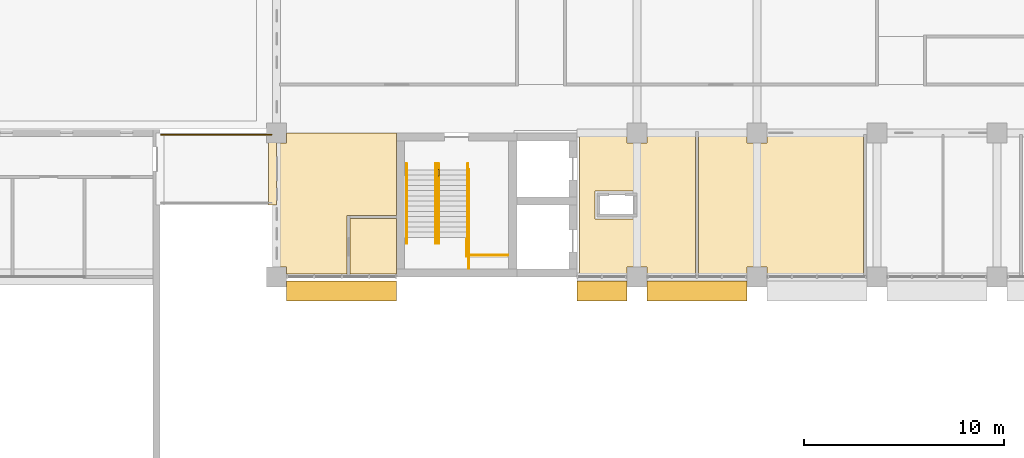
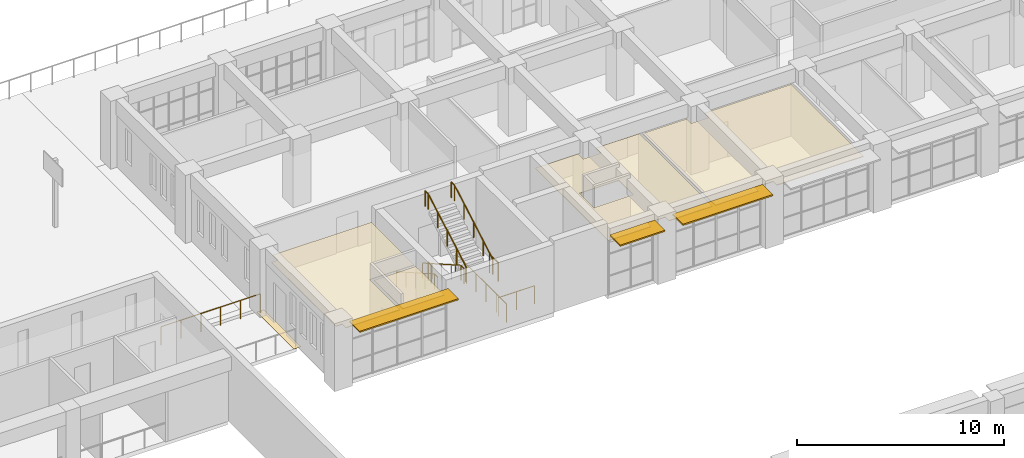
# One storey, part 92 of 101: 9 railings, 5 coverings, 3 shading devices.
"""IFC4 building model written with IfcOpenShell, lengths in metres."""

from ifc_helpers import new_model, si_unit, direction, frame, origin, origin_2d, place, context, subcontext, project, spatial, polyline, rectangle, circle, outline, extrude, material, layer, layer_set, type_object, element, save


model = new_model("IFC4")

# Units and contexts
model_context = context("Model", 3, precision=1e-05, world=origin(), true_north=direction((0.0, 1.0)))
body_context = subcontext(model_context, "Body", "Model", "MODEL_VIEW")
ifc_project = project(units=[si_unit("LENGTHUNIT", "METRE"), si_unit("AREAUNIT", "SQUARE_METRE"), si_unit("VOLUMEUNIT", "CUBIC_METRE"), si_unit("PLANEANGLEUNIT", "RADIAN"), si_unit("MASSUNIT", "GRAM", prefix="KILO")], contexts=[model_context])

# Site, building, storey
site_placement = place(None, origin())
site = spatial("IfcSite", under=ifc_project, at=site_placement, CompositionType="ELEMENT")
building_placement = place(site_placement, origin())
building = spatial("IfcBuilding", under=site, at=building_placement, Name="Laocheng Heights Fire and Rescue Headquarters", CompositionType="ELEMENT")
storey_placement = place(building_placement, frame((0.0, 0.0, 8.39990234375)))
storey = spatial("IfcBuildingStorey", under=building, at=storey_placement, Name="L02", CompositionType="ELEMENT", Elevation=8.39990234375)

# Covering
ifc_material_1 = material(Name="Stainless steel cover plate", Category="steel")
ifc_layer_1 = layer(ifc_material_1, 0.010009765625)
ifc_layer_set_1 = layer_set([ifc_layer_1], Name="Stainless steel cover plate")
covering_type_1 = type_object("IfcCoveringType", Name="MOVEMENT JOINT COVER PLATE 10", PredefinedType="FLOORING", material=ifc_layer_set_1)
covering_1_placement = place(storey_placement, frame((35.800048828125, 55.800048828125, -0.009765625), z_axis=(0.0, 0.0, 1.0), x_axis=(1.0, 0.0, 0.0)))
element("IfcCovering", 1, at=covering_1_placement, inside=storey, type_object=covering_type_1, Name="Bridge B2 movement joint cover plate", PredefinedType="FLOORING", context=body_context, shape_type="SweptSolid", body=[
    extrude(rectangle(XDim=0.39990234375, YDim=3.60009765625, at=origin_2d()), origin(), (0.0, 0.0, 1.0), 0.010009765625),
])

# Shading devices
ifc_material_2 = material(Name="Precast concrete C40/50, light warm grey", Category="concrete")
ifc_layer_2 = layer(ifc_material_2, 0.080078125)
ifc_layer_set_2 = layer_set([ifc_layer_2], Name="Precast concrete C40/50, light warm grey")
shading_device_type = type_object("IfcShadingDeviceType", Name="PRECAST BLADE 1000 x 80 BLADE HQ SOUTH", PredefinedType="JALOUSIE", material=ifc_layer_set_2)
shading_device_1_placement = place(storey_placement, frame((39.25, 49.699951171875, 3.56005859375), z_axis=(0.0, 0.0, 1.0), x_axis=(1.0, 0.0, 0.0)))
element("IfcShadingDevice", 2, at=shading_device_1_placement, inside=storey, type_object=shading_device_type, Name="BLADE HQ SOUTH L02", PredefinedType="JALOUSIE", context=body_context, shape_type="SweptSolid", body=[
    extrude(rectangle(XDim=5.5, YDim=1.0, at=origin_2d()), origin(), (0.0, 0.0, 1.0), 0.080078125),
])
shading_device_2_placement = place(storey_placement, frame((52.25, 49.699951171875, 3.56005859375), z_axis=(0.0, 0.0, 1.0), x_axis=(1.0, 0.0, 0.0)))
element("IfcShadingDevice", 3, at=shading_device_2_placement, inside=storey, type_object=shading_device_type, Name="BLADE HQ SOUTH L02", PredefinedType="JALOUSIE", context=body_context, shape_type="SweptSolid", body=[
    extrude(rectangle(XDim=2.5, YDim=1.0, at=origin_2d()), origin(), (0.0, 0.0, 1.0), 0.080078125),
])
shading_device_3_placement = place(storey_placement, frame((57.0, 49.699951171875, 3.56005859375), z_axis=(0.0, 0.0, 1.0), x_axis=(1.0, 0.0, 0.0)))
element("IfcShadingDevice", 4, at=shading_device_3_placement, inside=storey, type_object=shading_device_type, Name="BLADE HQ SOUTH L02", PredefinedType="JALOUSIE", context=body_context, shape_type="SweptSolid", body=[
    extrude(rectangle(XDim=5.0, YDim=1.0, at=origin_2d()), origin(), (0.0, 0.0, 1.0), 0.080078125),
])

# Railings
ifc_material_3 = material(Name="Steel Q355B", Category="steel")
railing_type_1 = type_object("IfcRailingType", Name="STAIR GUARD 1100", PredefinedType="GUARDRAIL", material=ifc_material_3)
railing_1_placement = place(storey_placement, frame((44.094970703125, 55.449951171875, 0.0)))
element("IfcRailing", 5, at=railing_1_placement, inside=storey, type_object=railing_type_1, Name="Stair H1 guard L02 well edge", PredefinedType="GUARDRAIL", context=body_context, shape_type="SweptSolid", body=[
    extrude(circle(Radius=0.02392578125, at=origin_2d()), frame((0.0, 0.0, 1.076171875), z_axis=(0.0, 1.0, 0.0), x_axis=(-1.0, 0.0, 0.0)), (0.0, 0.0, 1.0), 0.300048828125),
    extrude(circle(Radius=0.02099609375, at=origin_2d()), origin(), (0.0, 0.0, 1.0), 1.052001953125),
    extrude(circle(Radius=0.02099609375, at=origin_2d()), frame((0.0, 0.300048828125, 0.0)), (0.0, 0.0, 1.0), 1.052001953125),
])
railing_2_placement = place(storey_placement, frame((45.52490234375, 51.47998046875, 0.0)))
element("IfcRailing", 6, at=railing_2_placement, inside=storey, type_object=railing_type_1, Name="Stair H1 guard L02 tongue edge", PredefinedType="GUARDRAIL", context=body_context, shape_type="SweptSolid", body=[
    extrude(circle(Radius=0.02392578125, at=origin_2d()), frame((0.0, 0.0, 1.076171875), z_axis=(1.0, 0.0, 0.0), x_axis=(0.0, 1.0, 0.0)), (0.0, 0.0, 1.0), 2.025146484375),
    extrude(circle(Radius=0.02099609375, at=origin_2d()), origin(), (0.0, 0.0, 1.0), 1.052001953125),
    extrude(circle(Radius=0.02099609375, at=origin_2d()), frame((1.0126953125, 0.0, 0.0)), (0.0, 0.0, 1.0), 1.052001953125),
    extrude(circle(Radius=0.02099609375, at=origin_2d()), frame((2.025146484375, 0.0, 0.0)), (0.0, 0.0, 1.0), 1.052001953125),
])
railing_3_placement = place(storey_placement, frame((45.60498046875, 50.820068359375, 0.0)))
element("IfcRailing", 7, at=railing_3_placement, inside=storey, type_object=railing_type_1, Name="Stair H1 guard L02 strip edge", PredefinedType="GUARDRAIL", context=body_context, shape_type="SweptSolid", body=[
    extrude(circle(Radius=0.02392578125, at=origin_2d()), frame((0.0, 0.0, 1.076171875), z_axis=(0.0, 1.0, 0.0), x_axis=(-1.0, 0.0, 0.0)), (0.0, 0.0, 1.0), 4.929931640625),
    extrude(circle(Radius=0.02099609375, at=origin_2d()), origin(), (0.0, 0.0, 1.0), 1.052001953125),
    extrude(circle(Radius=0.02099609375, at=origin_2d()), frame((0.0, 0.986083984375, 0.0)), (0.0, 0.0, 1.0), 1.052001953125),
    extrude(circle(Radius=0.02099609375, at=origin_2d()), frame((0.0, 1.971923828125, 0.0)), (0.0, 0.0, 1.0), 1.052001953125),
    extrude(circle(Radius=0.02099609375, at=origin_2d()), frame((0.0, 2.9580078125, 0.0)), (0.0, 0.0, 1.0), 1.052001953125),
    extrude(circle(Radius=0.02099609375, at=origin_2d()), frame((0.0, 3.94384765625, 0.0)), (0.0, 0.0, 1.0), 1.052001953125),
    extrude(circle(Radius=0.02099609375, at=origin_2d()), frame((0.0, 4.929931640625, 0.0)), (0.0, 0.0, 1.0), 1.052001953125),
])
railing_4_placement = place(storey_placement, frame((45.4951171875, 51.419921875, 2.10009765625)))
element("IfcRailing", 8, at=railing_4_placement, inside=storey, type_object=railing_type_1, Name="Stair H1 guard L02 half landing", PredefinedType="GUARDRAIL", context=body_context, shape_type="SweptSolid", body=[
    extrude(circle(Radius=0.02392578125, at=origin_2d()), frame((0.0, 0.0, 1.076171875), z_axis=(0.0, 1.0, 0.0), x_axis=(-1.0, 0.0, 0.0)), (0.0, 0.0, 1.0), 0.85009765625),
    extrude(circle(Radius=0.02099609375, at=origin_2d()), origin(), (0.0, 0.0, 1.0), 1.052001953125),
    extrude(circle(Radius=0.02099609375, at=origin_2d()), frame((0.0, 0.85009765625, 0.0)), (0.0, 0.0, 1.0), 1.052001953125),
])
ifc_material_4 = material(Name="Steel Q355B", Category="steel")
railing_type_2 = type_object("IfcRailingType", Name="STAIR HANDRAIL 920", PredefinedType="HANDRAIL", material=ifc_material_4)
for number, where, name in (
    (9, (42.4951171875, 56.050048828125, 0.0), "Stair H1 handrail L02 1"),
    (10, (43.955078125, 56.050048828125, 0.0), "Stair H1 handrail L02 2"),
):
    element("IfcRailing", number, at=place(storey_placement, frame(where)), inside=storey, type_object=railing_type_2, Name=name, PredefinedType="HANDRAIL", context=body_context, shape_type="SweptSolid", body=[
        extrude(circle(Radius=0.02392578125, at=origin_2d()), frame((0.0, 0.0, 0.89599609375), z_axis=(0.0, -0.868519587458, 0.495654845838), x_axis=(1.0, 0.0, 0.0)), (0.0, 0.0, 1.0), 4.237060546875),
        extrude(circle(Radius=0.02392578125, at=origin_2d()), frame((0.0, -3.679931640625, 2.99609375), z_axis=(0.0, -1.0, 0.0), x_axis=(1.0, 0.0, 0.0)), (0.0, 0.0, 1.0), 0.300048828125),
        extrude(circle(Radius=0.02099609375, at=origin_2d()), origin(), (0.0, 0.0, 1.0), 0.871826171875),
        extrude(circle(Radius=0.02099609375, at=origin_2d()), frame((0.0, -0.919921875, 0.52490234375)), (0.0, 0.0, 1.0), 0.871826171875),
        extrude(circle(Radius=0.02099609375, at=origin_2d()), frame((0.0, -1.83984375, 1.050048828125)), (0.0, 0.0, 1.0), 0.871826171875),
        extrude(circle(Radius=0.02099609375, at=origin_2d()), frame((0.0, -2.760009765625, 1.5751953125)), (0.0, 0.0, 1.0), 0.871826171875),
        extrude(circle(Radius=0.02099609375, at=origin_2d()), frame((0.0, -3.679931640625, 2.10009765625)), (0.0, 0.0, 1.0), 0.871826171875),
        extrude(circle(Radius=0.02099609375, at=origin_2d()), frame((0.0, -3.97998046875, 2.10009765625)), (0.0, 0.0, 1.0), 0.871826171875),
    ])
for number, where, name in (
    (11, (44.094970703125, 52.070068359375, 2.10009765625), "Stair H1 handrail L02 3"),
    (12, (45.554931640625, 52.070068359375, 2.10009765625), "Stair H1 handrail L02 4"),
):
    element("IfcRailing", number, at=place(storey_placement, frame(where)), inside=storey, type_object=railing_type_2, Name=name, PredefinedType="HANDRAIL", context=body_context, shape_type="SweptSolid", body=[
        extrude(circle(Radius=0.02392578125, at=origin_2d()), frame((0.0, 0.0, 0.89599609375), z_axis=(0.0, 0.868519587458, 0.495654845838), x_axis=(-1.0, 0.0, 0.0)), (0.0, 0.0, 1.0), 4.237060546875),
        extrude(circle(Radius=0.02392578125, at=origin_2d()), frame((0.0, 3.679931640625, 2.99609375), z_axis=(0.0, 1.0, 0.0), x_axis=(-1.0, 0.0, 0.0)), (0.0, 0.0, 1.0), 0.300048828125),
        extrude(circle(Radius=0.02099609375, at=origin_2d()), origin(), (0.0, 0.0, 1.0), 0.871826171875),
        extrude(circle(Radius=0.02099609375, at=origin_2d()), frame((0.0, 0.919921875, 0.52490234375)), (0.0, 0.0, 1.0), 0.871826171875),
        extrude(circle(Radius=0.02099609375, at=origin_2d()), frame((0.0, 1.83984375, 1.050048828125)), (0.0, 0.0, 1.0), 0.871826171875),
        extrude(circle(Radius=0.02099609375, at=origin_2d()), frame((0.0, 2.760009765625, 1.5751953125)), (0.0, 0.0, 1.0), 0.871826171875),
        extrude(circle(Radius=0.02099609375, at=origin_2d()), frame((0.0, 3.679931640625, 2.10009765625)), (0.0, 0.0, 1.0), 0.871826171875),
        extrude(circle(Radius=0.02099609375, at=origin_2d()), frame((0.0, 3.97998046875, 2.10009765625)), (0.0, 0.0, 1.0), 0.871826171875),
    ])
ifc_material_5 = material(Name="Steel Q355B", Category="steel")
railing_type_3 = type_object("IfcRailingType", Name="STEEL GUARDRAIL 1100 BRIDGE", PredefinedType="GUARDRAIL", material=ifc_material_5)
railing_5_placement = place(storey_placement, frame((35.75, 57.5, 0.0)))
element("IfcRailing", 13, at=railing_5_placement, inside=storey, type_object=railing_type_3, Name="Bridge B2 guard", PredefinedType="GUARDRAIL", context=body_context, shape_type="SweptSolid", body=[
    extrude(circle(Radius=0.02490234375, at=origin_2d()), frame((0.0, 0.0, 1.0751953125), z_axis=(-1.0, 0.0, 0.0), x_axis=(0.0, -1.0, 0.0)), (0.0, 0.0, 1.0), 5.52490234375),
    extrude(circle(Radius=0.02490234375, at=origin_2d()), origin(), (0.0, 0.0, 1.0), 1.050048828125),
    extrude(circle(Radius=0.02490234375, at=origin_2d()), frame((-1.10498046875, 0.0, 0.0)), (0.0, 0.0, 1.0), 1.050048828125),
    extrude(circle(Radius=0.02490234375, at=origin_2d()), frame((-2.2099609375, 0.0, 0.0)), (0.0, 0.0, 1.0), 1.050048828125),
    extrude(circle(Radius=0.02490234375, at=origin_2d()), frame((-3.31494140625, 0.0, 0.0)), (0.0, 0.0, 1.0), 1.050048828125),
    extrude(circle(Radius=0.02490234375, at=origin_2d()), frame((-4.419921875, 0.0, 0.0)), (0.0, 0.0, 1.0), 1.050048828125),
    extrude(circle(Radius=0.02490234375, at=origin_2d()), frame((-5.52490234375, 0.0, 0.0)), (0.0, 0.0, 1.0), 1.050048828125),
])

# Coverings
ifc_material_6 = material(Name="Mineral fibre ceiling tile")
ifc_layer_3 = layer(ifc_material_6, 0.0400390625)
ifc_layer_set_3 = layer_set([ifc_layer_3], Name="Mineral fibre ceiling tile")
covering_type_2 = type_object("IfcCoveringType", Name="SUSPENDED CEILING MINERAL FIBRE TILE HQ WING", PredefinedType="CEILING", material=ifc_layer_set_3)
covering_2_placement = place(storey_placement, frame((0.0, 0.0, 3.0)))
element("IfcCovering", 14, at=covering_2_placement, inside=storey, type_object=covering_type_2, Name="Bridge Arrival Lobby ceiling", PredefinedType="CEILING", context=body_context, shape_type="SweptSolid", body=[
    extrude(outline(polyline([(42.0, 53.47509765625), (39.675048828125, 53.47509765625), (39.52490234375, 53.47509765625), (39.52490234375, 50.550048828125), (36.5, 50.550048828125), (36.5, 50.89990234375), (36.14990234375, 50.89990234375), (36.14990234375, 57.10009765625), (36.5, 57.10009765625), (36.5, 57.60009765625), (42.0, 57.60009765625), (42.0, 53.47509765625)])), origin(), (0.0, 0.0, 1.0), 0.0400390625),
])
covering_3_placement = place(storey_placement, frame((0.0, 0.0, 3.0)))
element("IfcCovering", 15, at=covering_3_placement, inside=storey, type_object=covering_type_2, Name="Accessible WC ceiling", PredefinedType="CEILING", context=body_context, shape_type="SweptSolid", body=[
    extrude(outline(polyline([(39.675048828125, 50.550048828125), (39.675048828125, 53.324951171875), (42.0, 53.324951171875), (42.0, 50.550048828125), (39.675048828125, 50.550048828125)])), origin(), (0.0, 0.0, 1.0), 0.0400390625),
])
covering_4_placement = place(storey_placement, frame((0.0, 0.0, 3.0)))
element("IfcCovering", 16, at=covering_4_placement, inside=storey, type_object=covering_type_2, Name="Lift Lobby ceiling", PredefinedType="CEILING", context=body_context, shape_type="SweptSolid", body=[
    extrude(outline(polyline([(56.925048828125, 50.550048828125), (54.5, 50.550048828125), (54.5, 50.89990234375), (53.5, 50.89990234375), (53.5, 50.550048828125), (51.125, 50.550048828125), (51.125, 53.875), (51.125, 54.125), (51.125, 57.47509765625), (51.125, 57.60009765625), (53.5, 57.60009765625), (53.5, 57.10009765625), (54.5, 57.10009765625), (54.5, 57.60009765625), (56.925048828125, 57.60009765625), (56.925048828125, 50.550048828125)]), holes=[polyline([(52.10009765625, 53.300048828125), (53.89990234375, 53.300048828125), (54.10009765625, 53.300048828125), (54.10009765625, 53.5), (54.10009765625, 54.5), (54.10009765625, 54.699951171875), (53.89990234375, 54.699951171875), (52.10009765625, 54.699951171875), (51.89990234375, 54.699951171875), (51.89990234375, 54.5), (51.89990234375, 53.5), (51.89990234375, 53.300048828125), (52.10009765625, 53.300048828125)])]), origin(), (0.0, 0.0, 1.0), 0.0400390625),
])
covering_5_placement = place(storey_placement, frame((0.0, 0.0, 3.0)))
element("IfcCovering", 17, at=covering_5_placement, inside=storey, type_object=covering_type_2, Name="Boardroom ceiling", PredefinedType="CEILING", context=body_context, shape_type="SweptSolid", body=[
    extrude(outline(polyline([(59.5, 57.52490234375), (59.5, 57.10009765625), (60.5, 57.10009765625), (60.5, 57.52490234375), (65.324951171875, 57.52490234375), (65.324951171875, 50.550048828125), (60.5, 50.550048828125), (60.5, 50.89990234375), (59.5, 50.89990234375), (59.5, 50.550048828125), (57.074951171875, 50.550048828125), (57.074951171875, 57.52490234375), (59.5, 57.52490234375)])), origin(), (0.0, 0.0, 1.0), 0.0400390625),
])

save(model, "model.ifc")
